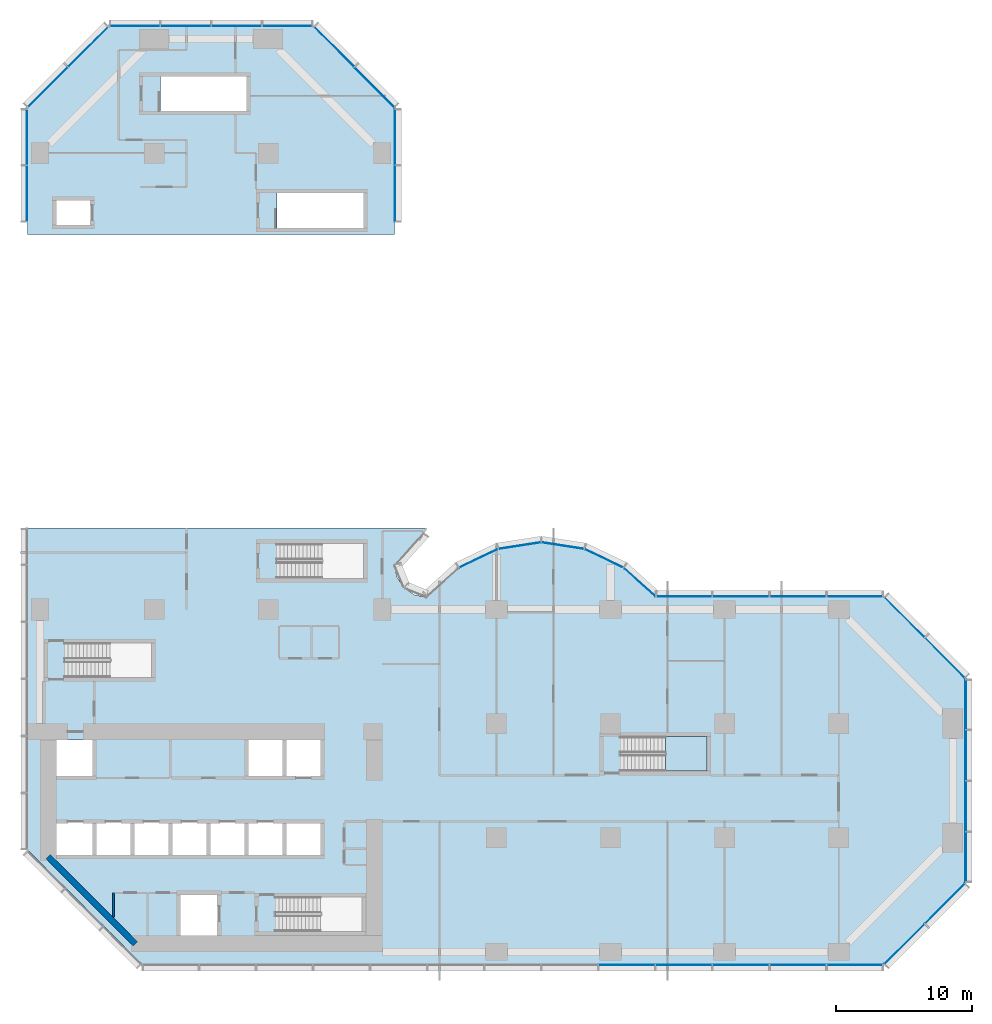
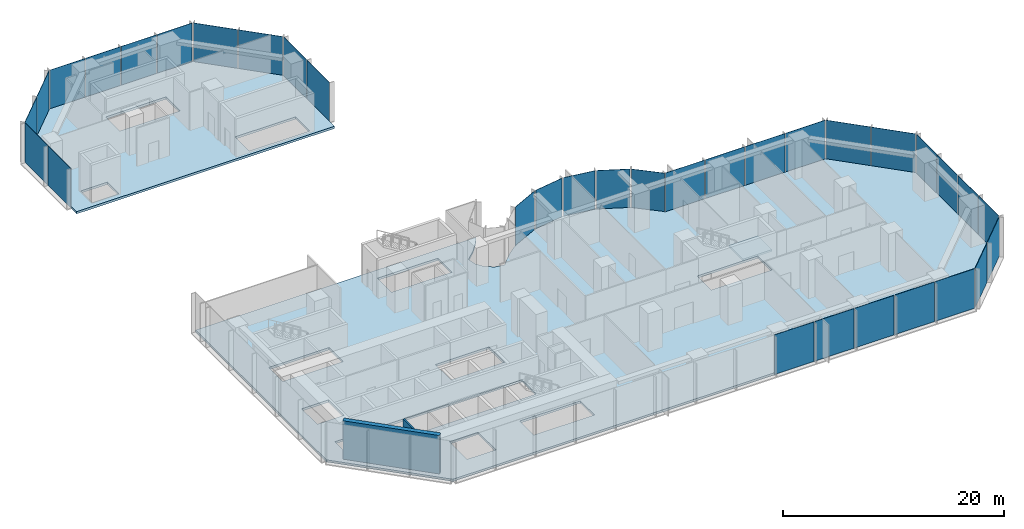
# One storey, part 6 of 13: 34 plates, 3 slabs, 2 walls, 12 elements without a shape of their own.
"""IFC4 building model written with IfcOpenShell, lengths in metres."""

from ifc_helpers import new_model, si_unit, direction, frame, frame_2d, origin, place, context, subcontext, project, spatial, polyline, rectangle, outline, extrude, material, layer, layer_set, type_object, element, aggregate, save


model = new_model("IFC4")

# Units and contexts
model_context = context("Model", 3, precision=1e-05, world=origin(), true_north=direction((0.0, 1.0)))
body_context = subcontext(model_context, "Body", "Model", "MODEL_VIEW")
ifc_project = project(units=[si_unit("LENGTHUNIT", "METRE"), si_unit("AREAUNIT", "SQUARE_METRE"), si_unit("VOLUMEUNIT", "CUBIC_METRE"), si_unit("PLANEANGLEUNIT", "RADIAN"), si_unit("MASSUNIT", "GRAM", prefix="KILO")], contexts=[model_context])

# Site, building, storey
site_placement = place(None, origin())
site = spatial("IfcSite", under=ifc_project, at=site_placement, CompositionType="ELEMENT")
building_placement = place(site_placement, origin())
building = spatial("IfcBuilding", under=site, at=building_placement, Name="Brevane Broadcast Tower", CompositionType="ELEMENT")
storey_placement = place(building_placement, frame((0.0, 0.0, 32.0)))
storey = spatial("IfcBuildingStorey", under=building, at=storey_placement, Name="L05", CompositionType="ELEMENT", Elevation=32.0)

# Curtain wall, plates
ifc_material_1 = material(Name="Aluminium 6063-T6 bronze anodised", Category="aluminium")
curtain_wall_type = type_object("IfcCurtainWallType", Name="CW-2 curtain wall", PredefinedType="NOTDEFINED", material=ifc_material_1)
curtain_wall_1_placement = place(storey_placement, origin())
curtain_wall_1 = element("IfcCurtainWall", 1, at=curtain_wall_1_placement, inside=storey, type_object=curtain_wall_type, Name="CW-2 podium base unit L05 south face", PredefinedType="NOTDEFINED")
ifc_material_2 = material(Name="Laminated glass bronze-tinted", Category="glass")
ifc_layer_1 = layer(ifc_material_2, 0.0400390625)
ifc_layer_set_1 = layer_set([ifc_layer_1], Name="CW tall glass panel 40")
plate_type = type_object("IfcPlateType", Name="CW tall glass panel 40", PredefinedType="CURTAIN_PANEL", material=ifc_layer_set_1)
plate_1_placement = place(storey_placement, frame((0.0, 0.0, -0.1298828125)))
plate_1 = element("IfcPlate", 2, at=plate_1_placement, type_object=plate_type, Name="CW-2 glass panel", PredefinedType="CURTAIN_PANEL", context=body_context, shape_type="SweptSolid", body=[
    extrude(outline(polyline([(45.2548828125, -0.969970703125), (45.2548828125, -0.929931640625), (41.14501953125, -0.929931640625), (41.14501953125, -0.969970703125), (45.2548828125, -0.969970703125)])), origin(), (0.0, 0.0, 1.0), 4.3798828125),
])
plate_2_placement = place(storey_placement, frame((0.0, 0.0, -0.1298828125)))
plate_2 = element("IfcPlate", 3, at=plate_2_placement, type_object=plate_type, Name="CW-2 glass panel", PredefinedType="CURTAIN_PANEL", context=body_context, shape_type="SweptSolid", body=[
    extrude(outline(polyline([(49.455078125, -0.969970703125), (49.455078125, -0.929931640625), (45.344970703125, -0.929931640625), (45.344970703125, -0.969970703125), (49.455078125, -0.969970703125)])), origin(), (0.0, 0.0, 1.0), 4.3798828125),
])
plate_3_placement = place(storey_placement, frame((0.0, 0.0, -0.1298828125)))
plate_3 = element("IfcPlate", 4, at=plate_3_placement, type_object=plate_type, Name="CW-2 glass panel", PredefinedType="CURTAIN_PANEL", context=body_context, shape_type="SweptSolid", body=[
    extrude(outline(polyline([(53.655029296875, -0.969970703125), (53.655029296875, -0.929931640625), (49.544921875, -0.929931640625), (49.544921875, -0.969970703125), (53.655029296875, -0.969970703125)])), origin(), (0.0, 0.0, 1.0), 4.3798828125),
])
plate_4_placement = place(storey_placement, frame((0.0, 0.0, -0.1298828125)))
plate_4 = element("IfcPlate", 5, at=plate_4_placement, type_object=plate_type, Name="CW-2 glass panel", PredefinedType="CURTAIN_PANEL", context=body_context, shape_type="SweptSolid", body=[
    extrude(outline(polyline([(57.85498046875, -0.969970703125), (57.85498046875, -0.929931640625), (53.7451171875, -0.929931640625), (53.7451171875, -0.969970703125), (57.85498046875, -0.969970703125)])), origin(), (0.0, 0.0, 1.0), 4.3798828125),
])
plate_5_placement = place(storey_placement, frame((0.0, 0.0, -0.1298828125)))
plate_5 = element("IfcPlate", 6, at=plate_5_placement, type_object=plate_type, Name="CW-2 glass panel", PredefinedType="CURTAIN_PANEL", context=body_context, shape_type="SweptSolid", body=[
    extrude(outline(polyline([(62.054931640625, -0.969970703125), (62.054931640625, -0.929931640625), (57.945068359375, -0.929931640625), (57.945068359375, -0.969970703125), (62.054931640625, -0.969970703125)])), origin(), (0.0, 0.0, 1.0), 4.3798828125),
])
aggregate(curtain_wall_1, [plate_1, plate_2, plate_3, plate_4, plate_5])

curtain_wall_2_placement = place(storey_placement, origin())
curtain_wall_2 = element("IfcCurtainWall", 7, at=curtain_wall_2_placement, inside=storey, type_object=curtain_wall_type, Name="CW-2 podium base unit L05 south-east chamfer", PredefinedType="NOTDEFINED")
plate_6_placement = place(storey_placement, frame((0.0, 0.0, -0.1298828125)))
plate_6 = element("IfcPlate", 8, at=plate_6_placement, type_object=plate_type, Name="CW-2 glass panel", PredefinedType="CURTAIN_PANEL", context=body_context, shape_type="SweptSolid", body=[
    extrude(outline(polyline([(62.153076171875, -0.889404296875), (65.08935546875, 2.047119140625), (65.11767578125, 2.018798828125), (62.181396484375, -0.917724609375), (62.153076171875, -0.889404296875)])), origin(), (0.0, 0.0, 1.0), 4.3798828125),
])
plate_7_placement = place(storey_placement, frame((0.0, 0.0, -0.1298828125)))
plate_7 = element("IfcPlate", 9, at=plate_7_placement, type_object=plate_type, Name="CW-2 glass panel", PredefinedType="CURTAIN_PANEL", context=body_context, shape_type="SweptSolid", body=[
    extrude(outline(polyline([(68.08935546875, 5.047119140625), (68.11767578125, 5.018798828125), (65.181396484375, 2.082275390625), (65.153076171875, 2.110595703125), (68.08935546875, 5.047119140625)])), origin(), (0.0, 0.0, 1.0), 4.3798828125),
])
aggregate(curtain_wall_2, [plate_6, plate_7])

curtain_wall_3_placement = place(storey_placement, origin())
curtain_wall_3 = element("IfcCurtainWall", 10, at=curtain_wall_3_placement, inside=storey, type_object=curtain_wall_type, Name="CW-2 podium base unit L05 east end", PredefinedType="NOTDEFINED")
plate_8_placement = place(storey_placement, frame((0.0, 0.0, -0.1298828125)))
plate_8 = element("IfcPlate", 11, at=plate_8_placement, type_object=plate_type, Name="CW-2 glass panel", PredefinedType="CURTAIN_PANEL", context=body_context, shape_type="SweptSolid", body=[
    extrude(outline(polyline([(68.169921875, 8.804931640625), (68.1298828125, 8.804931640625), (68.1298828125, 5.14501953125), (68.169921875, 5.14501953125), (68.169921875, 8.804931640625)])), origin(), (0.0, 0.0, 1.0), 4.3798828125),
])
plate_9_placement = place(storey_placement, frame((0.0, 0.0, -0.1298828125)))
plate_9 = element("IfcPlate", 12, at=plate_9_placement, type_object=plate_type, Name="CW-2 glass panel", PredefinedType="CURTAIN_PANEL", context=body_context, shape_type="SweptSolid", body=[
    extrude(outline(polyline([(68.169921875, 12.554931640625), (68.1298828125, 12.554931640625), (68.1298828125, 8.89501953125), (68.169921875, 8.89501953125), (68.169921875, 12.554931640625)])), origin(), (0.0, 0.0, 1.0), 4.3798828125),
])
plate_10_placement = place(storey_placement, frame((0.0, 0.0, -0.1298828125)))
plate_10 = element("IfcPlate", 13, at=plate_10_placement, type_object=plate_type, Name="CW-2 glass panel", PredefinedType="CURTAIN_PANEL", context=body_context, shape_type="SweptSolid", body=[
    extrude(outline(polyline([(68.169921875, 16.304931640625), (68.1298828125, 16.304931640625), (68.1298828125, 12.64501953125), (68.169921875, 12.64501953125), (68.169921875, 16.304931640625)])), origin(), (0.0, 0.0, 1.0), 4.3798828125),
])
plate_11_placement = place(storey_placement, frame((0.0, 0.0, -0.1298828125)))
plate_11 = element("IfcPlate", 14, at=plate_11_placement, type_object=plate_type, Name="CW-2 glass panel", PredefinedType="CURTAIN_PANEL", context=body_context, shape_type="SweptSolid", body=[
    extrude(outline(polyline([(68.169921875, 20.054931640625), (68.1298828125, 20.054931640625), (68.1298828125, 16.39501953125), (68.169921875, 16.39501953125), (68.169921875, 20.054931640625)])), origin(), (0.0, 0.0, 1.0), 4.3798828125),
])
aggregate(curtain_wall_3, [plate_8, plate_9, plate_10, plate_11])

curtain_wall_4_placement = place(storey_placement, origin())
curtain_wall_4 = element("IfcCurtainWall", 15, at=curtain_wall_4_placement, inside=storey, type_object=curtain_wall_type, Name="CW-2 podium base unit L05 north-east chamfer", PredefinedType="NOTDEFINED")
plate_12_placement = place(storey_placement, frame((0.0, 0.0, -0.1298828125)))
plate_12 = element("IfcPlate", 16, at=plate_12_placement, type_object=plate_type, Name="CW-2 glass panel", PredefinedType="CURTAIN_PANEL", context=body_context, shape_type="SweptSolid", body=[
    extrude(outline(polyline([(68.08935546875, 20.153076171875), (65.153076171875, 23.08935546875), (65.181396484375, 23.11767578125), (68.11767578125, 20.181396484375), (68.08935546875, 20.153076171875)])), origin(), (0.0, 0.0, 1.0), 4.3798828125),
])
plate_13_placement = place(storey_placement, frame((0.0, 0.0, -0.1298828125)))
plate_13 = element("IfcPlate", 17, at=plate_13_placement, type_object=plate_type, Name="CW-2 glass panel", PredefinedType="CURTAIN_PANEL", context=body_context, shape_type="SweptSolid", body=[
    extrude(outline(polyline([(65.08935546875, 23.153076171875), (62.153076171875, 26.08935546875), (62.181396484375, 26.11767578125), (65.11767578125, 23.181396484375), (65.08935546875, 23.153076171875)])), origin(), (0.0, 0.0, 1.0), 4.3798828125),
])
aggregate(curtain_wall_4, [plate_12, plate_13])

curtain_wall_5_placement = place(storey_placement, origin())
curtain_wall_5 = element("IfcCurtainWall", 18, at=curtain_wall_5_placement, inside=storey, type_object=curtain_wall_type, Name="CW-2 podium base unit L05 east arm north face", PredefinedType="NOTDEFINED")
plate_14_placement = place(storey_placement, frame((0.0, 0.0, -0.1298828125)))
plate_14 = element("IfcPlate", 19, at=plate_14_placement, type_object=plate_type, Name="CW-2 glass panel", PredefinedType="CURTAIN_PANEL", context=body_context, shape_type="SweptSolid", body=[
    extrude(outline(polyline([(57.945068359375, 26.169921875), (57.945068359375, 26.1298828125), (62.054931640625, 26.1298828125), (62.054931640625, 26.169921875), (57.945068359375, 26.169921875)])), origin(), (0.0, 0.0, 1.0), 4.3798828125),
])
plate_15_placement = place(storey_placement, frame((0.0, 0.0, -0.1298828125)))
plate_15 = element("IfcPlate", 20, at=plate_15_placement, type_object=plate_type, Name="CW-2 glass panel", PredefinedType="CURTAIN_PANEL", context=body_context, shape_type="SweptSolid", body=[
    extrude(outline(polyline([(53.7451171875, 26.169921875), (53.7451171875, 26.1298828125), (57.85498046875, 26.1298828125), (57.85498046875, 26.169921875), (53.7451171875, 26.169921875)])), origin(), (0.0, 0.0, 1.0), 4.3798828125),
])
plate_16_placement = place(storey_placement, frame((0.0, 0.0, -0.1298828125)))
plate_16 = element("IfcPlate", 21, at=plate_16_placement, type_object=plate_type, Name="CW-2 glass panel", PredefinedType="CURTAIN_PANEL", context=body_context, shape_type="SweptSolid", body=[
    extrude(outline(polyline([(49.544921875, 26.169921875), (49.544921875, 26.1298828125), (53.655029296875, 26.1298828125), (53.655029296875, 26.169921875), (49.544921875, 26.169921875)])), origin(), (0.0, 0.0, 1.0), 4.3798828125),
])
plate_17_placement = place(storey_placement, frame((0.0, 0.0, -0.1298828125)))
plate_17 = element("IfcPlate", 22, at=plate_17_placement, type_object=plate_type, Name="CW-2 glass panel", PredefinedType="CURTAIN_PANEL", context=body_context, shape_type="SweptSolid", body=[
    extrude(outline(polyline([(45.344970703125, 26.169921875), (45.344970703125, 26.1298828125), (49.455078125, 26.1298828125), (49.455078125, 26.169921875), (45.344970703125, 26.169921875)])), origin(), (0.0, 0.0, 1.0), 4.3798828125),
])
aggregate(curtain_wall_5, [plate_14, plate_15, plate_16, plate_17])

curtain_wall_6_placement = place(storey_placement, origin())
curtain_wall_6 = element("IfcCurtainWall", 23, at=curtain_wall_6_placement, inside=storey, type_object=curtain_wall_type, Name="CW-2 podium base unit L05 east bow", PredefinedType="NOTDEFINED")
plate_18_placement = place(storey_placement, frame((0.0, 0.0, -0.1298828125)))
plate_18 = element("IfcPlate", 24, at=plate_18_placement, type_object=plate_type, Name="CW-2 glass panel", PredefinedType="CURTAIN_PANEL", context=body_context, shape_type="SweptSolid", body=[
    extrude(outline(polyline([(45.28662109375, 26.15234375), (45.3134765625, 26.18212890625), (43.02880859375, 28.24609375), (43.00634765625, 28.21240234375), (45.28662109375, 26.15234375)])), origin(), (0.0, 0.0, 1.0), 4.3798828125),
])
plate_19_placement = place(storey_placement, frame((0.0, 0.0, -0.1298828125)))
plate_19 = element("IfcPlate", 25, at=plate_19_placement, type_object=plate_type, Name="CW-2 glass panel", PredefinedType="CURTAIN_PANEL", context=body_context, shape_type="SweptSolid", body=[
    extrude(outline(polyline([(42.87939453125, 28.297607421875), (42.90185546875, 28.331298828125), (40.143798828125, 29.64453125), (40.1318359375, 29.60595703125), (42.87939453125, 28.297607421875)])), origin(), (0.0, 0.0, 1.0), 4.3798828125),
])
plate_20_placement = place(storey_placement, frame((0.0, 0.0, -0.1298828125)))
plate_20 = element("IfcPlate", 26, at=plate_20_placement, type_object=plate_type, Name="CW-2 glass panel", PredefinedType="CURTAIN_PANEL", context=body_context, shape_type="SweptSolid", body=[
    extrude(outline(polyline([(39.985595703125, 29.65087890625), (39.99755859375, 29.689453125), (36.982421875, 30.157958984375), (36.982421875, 30.117431640625), (39.985595703125, 29.65087890625)])), origin(), (0.0, 0.0, 1.0), 4.3798828125),
])
plate_21_placement = place(storey_placement, frame((0.0, 0.0, -0.1298828125)))
plate_21 = element("IfcPlate", 27, at=plate_21_placement, type_object=plate_type, Name="CW-2 glass panel", PredefinedType="CURTAIN_PANEL", context=body_context, shape_type="SweptSolid", body=[
    extrude(outline(polyline([(36.817626953125, 30.117431640625), (36.817626953125, 30.157958984375), (33.802490234375, 29.689453125), (33.814208984375, 29.65087890625), (36.817626953125, 30.117431640625)])), origin(), (0.0, 0.0, 1.0), 4.3798828125),
])
plate_22_placement = place(storey_placement, frame((0.0, 0.0, -0.1298828125)))
plate_22 = element("IfcPlate", 28, at=plate_22_placement, type_object=plate_type, Name="CW-2 glass panel", PredefinedType="CURTAIN_PANEL", context=body_context, shape_type="SweptSolid", body=[
    extrude(outline(polyline([(33.668212890625, 29.60595703125), (33.65625, 29.64453125), (30.898193359375, 28.331298828125), (30.920654296875, 28.297607421875), (33.668212890625, 29.60595703125)])), origin(), (0.0, 0.0, 1.0), 4.3798828125),
])
aggregate(curtain_wall_6, [plate_18, plate_19, plate_20, plate_21, plate_22])

curtain_wall_7_placement = place(storey_placement, origin())
curtain_wall_7 = element("IfcCurtainWall", 29, at=curtain_wall_7_placement, inside=storey, type_object=curtain_wall_type, Name="CW-2 podium base unit L05 north arm east face", PredefinedType="NOTDEFINED")
plate_23_placement = place(storey_placement, frame((0.0, 0.0, -0.1298828125)))
plate_23 = element("IfcPlate", 30, at=plate_23_placement, type_object=plate_type, Name="CW-2 glass panel", PredefinedType="CURTAIN_PANEL", context=body_context, shape_type="SweptSolid", body=[
    extrude(outline(polyline([(26.169921875, 57.85498046875), (26.1298828125, 57.85498046875), (26.1298828125, 53.7451171875), (26.169921875, 53.7451171875), (26.169921875, 57.85498046875)])), origin(), (0.0, 0.0, 1.0), 4.3798828125),
])
plate_24_placement = place(storey_placement, frame((0.0, 0.0, -0.1298828125)))
plate_24 = element("IfcPlate", 31, at=plate_24_placement, type_object=plate_type, Name="CW-2 glass panel", PredefinedType="CURTAIN_PANEL", context=body_context, shape_type="SweptSolid", body=[
    extrude(outline(polyline([(26.169921875, 62.054931640625), (26.1298828125, 62.054931640625), (26.1298828125, 57.945068359375), (26.169921875, 57.945068359375), (26.169921875, 62.054931640625)])), origin(), (0.0, 0.0, 1.0), 4.3798828125),
])
aggregate(curtain_wall_7, [plate_23, plate_24])

curtain_wall_8_placement = place(storey_placement, origin())
curtain_wall_8 = element("IfcCurtainWall", 32, at=curtain_wall_8_placement, inside=storey, type_object=curtain_wall_type, Name="CW-2 podium base unit L05 north arm north-east chamfer", PredefinedType="NOTDEFINED")
plate_25_placement = place(storey_placement, frame((0.0, 0.0, -0.1298828125)))
plate_25 = element("IfcPlate", 33, at=plate_25_placement, type_object=plate_type, Name="CW-2 glass panel", PredefinedType="CURTAIN_PANEL", context=body_context, shape_type="SweptSolid", body=[
    extrude(outline(polyline([(26.08935546875, 62.153076171875), (23.153076171875, 65.08935546875), (23.181396484375, 65.11767578125), (26.11767578125, 62.181396484375), (26.08935546875, 62.153076171875)])), origin(), (0.0, 0.0, 1.0), 4.3798828125),
])
plate_26_placement = place(storey_placement, frame((0.0, 0.0, -0.1298828125)))
plate_26 = element("IfcPlate", 34, at=plate_26_placement, type_object=plate_type, Name="CW-2 glass panel", PredefinedType="CURTAIN_PANEL", context=body_context, shape_type="SweptSolid", body=[
    extrude(outline(polyline([(23.08935546875, 65.153076171875), (20.153076171875, 68.08935546875), (20.181396484375, 68.11767578125), (23.11767578125, 65.181396484375), (23.08935546875, 65.153076171875)])), origin(), (0.0, 0.0, 1.0), 4.3798828125),
])
aggregate(curtain_wall_8, [plate_25, plate_26])

curtain_wall_9_placement = place(storey_placement, origin())
curtain_wall_9 = element("IfcCurtainWall", 35, at=curtain_wall_9_placement, inside=storey, type_object=curtain_wall_type, Name="CW-2 podium base unit L05 north end", PredefinedType="NOTDEFINED")
plate_27_placement = place(storey_placement, frame((0.0, 0.0, -0.1298828125)))
plate_27 = element("IfcPlate", 36, at=plate_27_placement, type_object=plate_type, Name="CW-2 glass panel", PredefinedType="CURTAIN_PANEL", context=body_context, shape_type="SweptSolid", body=[
    extrude(outline(polyline([(16.39501953125, 68.169921875), (16.39501953125, 68.1298828125), (20.054931640625, 68.1298828125), (20.054931640625, 68.169921875), (16.39501953125, 68.169921875)])), origin(), (0.0, 0.0, 1.0), 4.3798828125),
])
plate_28_placement = place(storey_placement, frame((0.0, 0.0, -0.1298828125)))
plate_28 = element("IfcPlate", 37, at=plate_28_placement, type_object=plate_type, Name="CW-2 glass panel", PredefinedType="CURTAIN_PANEL", context=body_context, shape_type="SweptSolid", body=[
    extrude(outline(polyline([(12.64501953125, 68.169921875), (12.64501953125, 68.1298828125), (16.304931640625, 68.1298828125), (16.304931640625, 68.169921875), (12.64501953125, 68.169921875)])), origin(), (0.0, 0.0, 1.0), 4.3798828125),
])
plate_29_placement = place(storey_placement, frame((0.0, 0.0, -0.1298828125)))
plate_29 = element("IfcPlate", 38, at=plate_29_placement, type_object=plate_type, Name="CW-2 glass panel", PredefinedType="CURTAIN_PANEL", context=body_context, shape_type="SweptSolid", body=[
    extrude(outline(polyline([(8.89501953125, 68.169921875), (8.89501953125, 68.1298828125), (12.554931640625, 68.1298828125), (12.554931640625, 68.169921875), (8.89501953125, 68.169921875)])), origin(), (0.0, 0.0, 1.0), 4.3798828125),
])
plate_30_placement = place(storey_placement, frame((0.0, 0.0, -0.1298828125)))
plate_30 = element("IfcPlate", 39, at=plate_30_placement, type_object=plate_type, Name="CW-2 glass panel", PredefinedType="CURTAIN_PANEL", context=body_context, shape_type="SweptSolid", body=[
    extrude(outline(polyline([(5.14501953125, 68.169921875), (5.14501953125, 68.1298828125), (8.804931640625, 68.1298828125), (8.804931640625, 68.169921875), (5.14501953125, 68.169921875)])), origin(), (0.0, 0.0, 1.0), 4.3798828125),
])
aggregate(curtain_wall_9, [plate_27, plate_28, plate_29, plate_30])

curtain_wall_10_placement = place(storey_placement, origin())
curtain_wall_10 = element("IfcCurtainWall", 40, at=curtain_wall_10_placement, inside=storey, type_object=curtain_wall_type, Name="CW-2 podium base unit L05 north-west chamfer", PredefinedType="NOTDEFINED")
plate_31_placement = place(storey_placement, frame((0.0, 0.0, -0.1298828125)))
plate_31 = element("IfcPlate", 41, at=plate_31_placement, type_object=plate_type, Name="CW-2 glass panel", PredefinedType="CURTAIN_PANEL", context=body_context, shape_type="SweptSolid", body=[
    extrude(outline(polyline([(5.047119140625, 68.08935546875), (2.110595703125, 65.153076171875), (2.082275390625, 65.181396484375), (5.018798828125, 68.11767578125), (5.047119140625, 68.08935546875)])), origin(), (0.0, 0.0, 1.0), 4.3798828125),
])
plate_32_placement = place(storey_placement, frame((0.0, 0.0, -0.1298828125)))
plate_32 = element("IfcPlate", 42, at=plate_32_placement, type_object=plate_type, Name="CW-2 glass panel", PredefinedType="CURTAIN_PANEL", context=body_context, shape_type="SweptSolid", body=[
    extrude(outline(polyline([(2.047119140625, 65.08935546875), (-0.889404296875, 62.153076171875), (-0.917724609375, 62.181396484375), (2.018798828125, 65.11767578125), (2.047119140625, 65.08935546875)])), origin(), (0.0, 0.0, 1.0), 4.3798828125),
])
aggregate(curtain_wall_10, [plate_31, plate_32])

curtain_wall_11_placement = place(storey_placement, origin())
curtain_wall_11 = element("IfcCurtainWall", 43, at=curtain_wall_11_placement, inside=storey, type_object=curtain_wall_type, Name="CW-2 podium base unit L05 west face", PredefinedType="NOTDEFINED")
plate_33_placement = place(storey_placement, frame((0.0, 0.0, -0.1298828125)))
plate_33 = element("IfcPlate", 44, at=plate_33_placement, type_object=plate_type, Name="CW-2 glass panel", PredefinedType="CURTAIN_PANEL", context=body_context, shape_type="SweptSolid", body=[
    extrude(outline(polyline([(-0.969970703125, 57.945068359375), (-0.929931640625, 57.945068359375), (-0.929931640625, 62.054931640625), (-0.969970703125, 62.054931640625), (-0.969970703125, 57.945068359375)])), origin(), (0.0, 0.0, 1.0), 4.3798828125),
])
plate_34_placement = place(storey_placement, frame((0.0, 0.0, -0.1298828125)))
plate_34 = element("IfcPlate", 45, at=plate_34_placement, type_object=plate_type, Name="CW-2 glass panel", PredefinedType="CURTAIN_PANEL", context=body_context, shape_type="SweptSolid", body=[
    extrude(outline(polyline([(-0.969970703125, 53.7451171875), (-0.929931640625, 53.7451171875), (-0.929931640625, 57.85498046875), (-0.969970703125, 57.85498046875), (-0.969970703125, 53.7451171875)])), origin(), (0.0, 0.0, 1.0), 4.3798828125),
])
aggregate(curtain_wall_11, [plate_33, plate_34])

# Stair, slab
ifc_material_3 = material(Name="Concrete C50/60", Category="concrete")
stair_type = type_object("IfcStairType", Name="Exit stair 26 risers", PredefinedType="HALF_TURN_STAIR", material=ifc_material_3)
stair_placement = place(storey_placement, origin())
stair = element("IfcStair", 46, at=stair_placement, inside=storey, type_object=stair_type, Name="L05 Exit stair ST-4", PredefinedType="HALF_TURN_STAIR")
ifc_layer_2 = layer(ifc_material_3, 0.199951171875)
ifc_layer_set_2 = layer_set([ifc_layer_2], Name="Exit stair landing")
slab_type_1 = type_object("IfcSlabType", Name="Exit stair landing", PredefinedType="LANDING", material=ifc_layer_set_2)
slab_1_placement = place(storey_placement, frame((0.0, 0.0, 2.050048828125)))
slab_1 = element("IfcSlab", 47, at=slab_1_placement, type_object=slab_type_1, Name="ST-4 landing 1", PredefinedType="LANDING", context=body_context, shape_type="SweptSolid", body=[
    extrude(outline(polyline([(46.06005859375, 13.300048828125), (49.10009765625, 13.300048828125), (49.10009765625, 15.85009765625), (46.06005859375, 15.85009765625), (46.06005859375, 13.300048828125)])), origin(), (0.0, 0.0, 1.0), 0.199951171875),
])
aggregate(stair, [slab_1])

# Slabs
ifc_material_4 = material(Name="Concrete C40/50", Category="concrete")
ifc_layer_3 = layer(ifc_material_4, 0.25)
ifc_layer_set_3 = layer_set([ifc_layer_3], Name="RC FLOOR SLAB 250 C40/50")
slab_type_2 = type_object("IfcSlabType", Name="RC FLOOR SLAB 250 C40/50", PredefinedType="FLOOR", material=ifc_layer_set_3)
slab_2_placement = place(storey_placement, frame((0.0, 0.0, -0.25)))
element("IfcSlab", 48, at=slab_2_placement, inside=storey, type_object=slab_type_2, Name="SL250 L05", PredefinedType="FLOOR", context=body_context, shape_type="SweptSolid", body=[
    extrude(outline(polyline([(-0.89990234375, 31.199951171875), (28.45263671875, 31.199951171875), (27.99169921875, 30.48291015625), (27.10888671875, 29.431396484375), (26.10009765625, 28.5), (26.28271484375, 27.58154296875), (26.802978515625, 26.802978515625), (27.58154296875, 26.28271484375), (28.5, 26.10009765625), (29.431396484375, 27.10888671875), (30.48291015625, 27.99169921875), (31.6376953125, 28.734130859375), (32.877197265625, 29.324462890625), (34.181640625, 29.7529296875), (35.52978515625, 30.012939453125), (36.89990234375, 30.10009765625), (38.270263671875, 30.012939453125), (39.618408203125, 29.7529296875), (40.922607421875, 29.324462890625), (42.162353515625, 28.734130859375), (43.317138671875, 27.99169921875), (44.36865234375, 27.10888671875), (45.300048828125, 26.10009765625), (62.10009765625, 26.10009765625), (68.10009765625, 20.10009765625), (68.10009765625, 5.10009765625), (62.10009765625, -0.89990234375), (7.5, -0.89990234375), (-0.89990234375, 7.5), (-0.89990234375, 31.199951171875)]), holes=[polyline([(13.199951171875, 1.199951171875), (13.199951171875, 4.39990234375), (10.199951171875, 4.39990234375), (10.199951171875, 1.199951171875), (13.199951171875, 1.199951171875)]), polyline([(6.800048828125, 9.60009765625), (4.0, 9.60009765625), (1.199951171875, 9.60009765625), (1.199951171875, 7.0), (4.0, 7.0), (6.800048828125, 7.0), (9.60009765625, 7.0), (12.39990234375, 7.0), (15.199951171875, 7.0), (18.0, 7.0), (20.800048828125, 7.0), (20.800048828125, 9.60009765625), (18.0, 9.60009765625), (15.199951171875, 9.60009765625), (12.39990234375, 9.60009765625), (9.60009765625, 9.60009765625), (6.800048828125, 9.60009765625)]), polyline([(4.0, 12.800048828125), (4.0, 15.60009765625), (1.199951171875, 15.60009765625), (1.199951171875, 12.800048828125), (4.0, 12.800048828125)]), polyline([(8.199951171875, 22.75), (1.860107421875, 22.75), (1.860107421875, 20.199951171875), (8.199951171875, 20.199951171875), (8.199951171875, 22.75)]), polyline([(23.699951171875, 4.050048828125), (17.360107421875, 4.050048828125), (17.360107421875, 1.5), (23.699951171875, 1.5), (23.699951171875, 4.050048828125)]), polyline([(18.0, 15.60009765625), (15.199951171875, 15.60009765625), (15.199951171875, 12.800048828125), (18.0, 12.800048828125), (20.800048828125, 12.800048828125), (20.800048828125, 15.60009765625), (18.0, 15.60009765625)]), polyline([(49.10009765625, 15.85009765625), (42.760009765625, 15.85009765625), (42.760009765625, 13.300048828125), (49.10009765625, 13.300048828125), (49.10009765625, 15.85009765625)]), polyline([(23.800048828125, 27.5), (23.800048828125, 30.050048828125), (17.4599609375, 30.050048828125), (17.4599609375, 27.5), (23.800048828125, 27.5)])]), origin(), (0.0, 0.0, 1.0), 0.25),
])
slab_3_placement = place(storey_placement, frame((0.0, 0.0, -0.25)))
element("IfcSlab", 49, at=slab_3_placement, inside=storey, type_object=slab_type_2, Name="SL250 L05", PredefinedType="FLOOR", context=body_context, shape_type="SweptSolid", body=[
    extrude(outline(polyline([(5.10009765625, 68.10009765625), (20.10009765625, 68.10009765625), (26.10009765625, 62.10009765625), (26.10009765625, 52.800048828125), (-0.89990234375, 52.800048828125), (-0.89990234375, 62.10009765625), (5.10009765625, 68.10009765625)]), holes=[polyline([(1.050048828125, 53.35009765625), (3.85009765625, 53.35009765625), (3.85009765625, 55.449951171875), (1.050048828125, 55.449951171875), (1.050048828125, 53.35009765625)]), polyline([(15.199951171875, 61.89990234375), (15.199951171875, 64.449951171875), (8.860107421875, 64.449951171875), (8.860107421875, 61.89990234375), (15.199951171875, 61.89990234375)]), polyline([(23.800048828125, 53.300048828125), (23.800048828125, 55.85009765625), (17.4599609375, 55.85009765625), (17.4599609375, 53.300048828125), (23.800048828125, 53.300048828125)])]), origin(), (0.0, 0.0, 1.0), 0.25),
])

# Walls
ifc_material_5 = material(Name="Gypsum board on steel studs", Category="steel")
ifc_layer_4 = layer(ifc_material_5, 0.14990234375)
ifc_layer_set_4 = layer_set([ifc_layer_4], Name="Core fire partition 150 mm")
wall_type_1 = type_object("IfcWallType", Name="Core fire partition 150 mm", PredefinedType="PARTITIONING", material=ifc_layer_set_4)
wall_1_placement = place(storey_placement, frame((5.39990234375, 2.553466796875, 0.0), z_axis=(0.0, 0.0, 1.0), x_axis=(0.0, 1.0, 0.0)))
element("IfcWall", 50, at=wall_1_placement, inside=storey, type_object=wall_type_1, Name="L05 partition wall P10", PredefinedType="PARTITIONING", context=body_context, shape_type="SweptSolid", body=[
    extrude(rectangle(XDim=1.796630859375, YDim=0.14990234375, at=frame_2d((0.8984375, 0.0))), origin(), (0.0, 0.0, 1.0), 4.25),
])
ifc_material_6 = material(Name="Concrete C80/95", Category="concrete")
ifc_layer_5 = layer(ifc_material_6, 0.449951171875)
ifc_layer_set_5 = layer_set([ifc_layer_5], Name="Core wall 450 mm C80/95")
wall_type_2 = type_object("IfcWallType", Name="Core wall 450 mm C80/95", PredefinedType="SHEAR", material=ifc_layer_set_5)
wall_2_placement = place(storey_placement, frame((0.60009765625, 7.018310546875, 0.0), z_axis=(0.0, 0.0, 1.0), x_axis=(0.707106781187, -0.707106781187, 0.0)))
element("IfcWall", 51, at=wall_2_placement, inside=storey, type_object=wall_type_2, Name="L05 outer wall WC", PredefinedType="SHEAR", context=body_context, shape_type="SweptSolid", body=[
    extrude(rectangle(XDim=9.07666015625, YDim=0.449951171875, at=frame_2d((4.538330078125, 0.0))), origin(), (0.0, 0.0, 1.0), 4.25),
])

save(model, "model.ifc")
